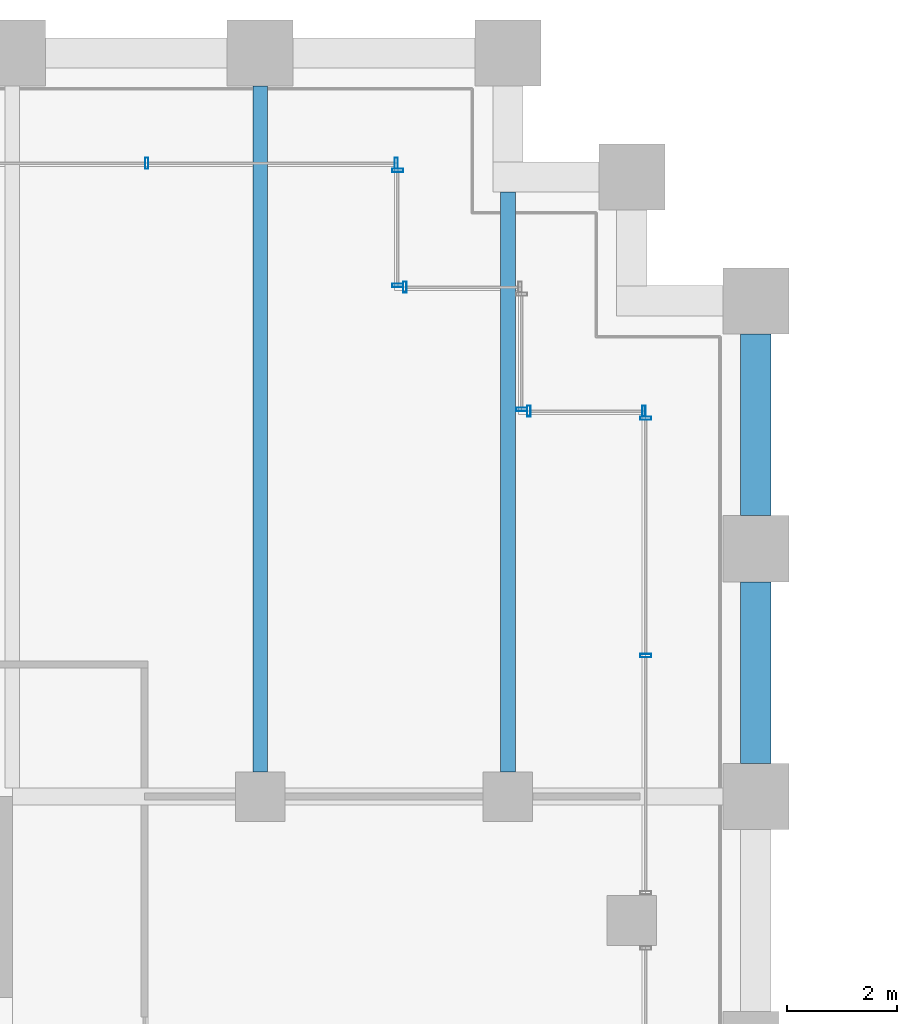
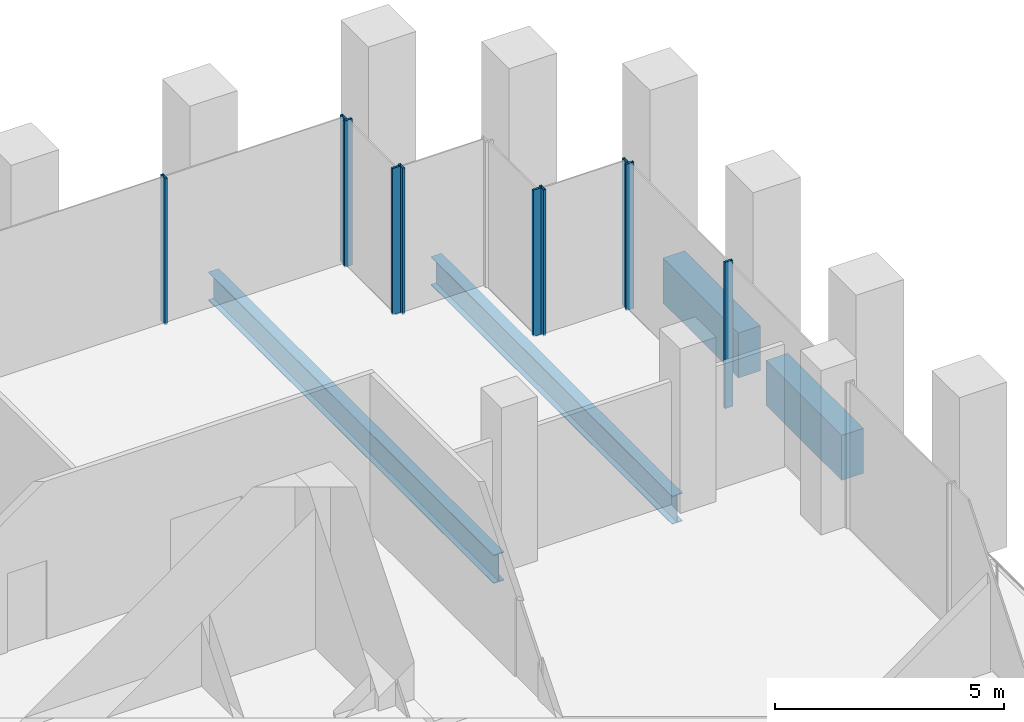
# One storey, part 17 of 36: 10 members, 4 beams, 6 elements without a shape of their own.
"""IFC4 building model written with IfcOpenShell, lengths in metres."""

from ifc_helpers import new_model, si_unit, direction, frame, origin, origin_2d, place, context, subcontext, project, spatial, rectangle, hollow_rectangle, i_section, extrude, material, material_profile, profile_set, type_object, element, aggregate, save


model = new_model("IFC4")

# Units and contexts
model_context = context("Model", 3, precision=1e-05, world=origin(), true_north=direction((0.0, 1.0)))
body_context = subcontext(model_context, "Body", "Model", "MODEL_VIEW")
ifc_project = project(units=[si_unit("LENGTHUNIT", "METRE"), si_unit("AREAUNIT", "SQUARE_METRE"), si_unit("VOLUMEUNIT", "CUBIC_METRE"), si_unit("PLANEANGLEUNIT", "RADIAN"), si_unit("MASSUNIT", "GRAM", prefix="KILO")], contexts=[model_context])

# Site, building, storey
site_placement = place(None, origin())
site = spatial("IfcSite", under=ifc_project, at=site_placement, CompositionType="ELEMENT")
building_placement = place(site_placement, origin())
building = spatial("IfcBuilding", under=site, at=building_placement, Name="Altepetl Exchange Towers", CompositionType="ELEMENT")
storey_placement = place(building_placement, frame((0.0, 0.0, 38.60009765625)))
storey = spatial("IfcBuildingStorey", under=building, at=storey_placement, Name="L08", CompositionType="ELEMENT", Elevation=38.60009765625)

# Beams
ifc_material_1 = material(Name="Steel S355", Category="steel")
ifc_material_profile_1 = material_profile(ifc_material_1, i_section(OverallWidth=0.26611328125, OverallDepth=0.758056640625, WebThickness=0.013916015625, FlangeThickness=0.019287109375, at=origin_2d()), Name="W30X108")
ifc_profile_set_1 = profile_set([ifc_material_profile_1], Name="Steel S355")
beam_type_1 = type_object("IfcBeamType", Name="Floor beam W30X108", PredefinedType="BEAM", material=ifc_profile_set_1)
beam_1_placement = place(storey_placement, frame((63.0, 58.949951171875, -0.55419921875), z_axis=(0.0, 1.0, 0.0), x_axis=(-1.0, 0.0, 0.0)))
element("IfcBeam", 1, at=beam_1_placement, inside=storey, type_object=beam_type_1, Name="bm:A:L08:004", PredefinedType="BEAM", context=body_context, shape_type="SweptSolid", body=[
    extrude(i_section(OverallWidth=0.26611328125, OverallDepth=0.758056640625, WebThickness=0.013916015625, FlangeThickness=0.019287109375, at=origin_2d()), origin(), (0.0, 0.0, 1.0), 12.449951171875),
])
beam_2_placement = place(storey_placement, frame((67.5, 58.949951171875, -0.55419921875), z_axis=(0.0, 1.0, 0.0), x_axis=(-1.0, 0.0, 0.0)))
element("IfcBeam", 2, at=beam_2_placement, inside=storey, type_object=beam_type_1, Name="bm:A:L08:005", PredefinedType="BEAM", context=body_context, shape_type="SweptSolid", body=[
    extrude(i_section(OverallWidth=0.26611328125, OverallDepth=0.758056640625, WebThickness=0.013916015625, FlangeThickness=0.019287109375, at=origin_2d()), origin(), (0.0, 0.0, 1.0), 10.525146484375),
])

# Curtain wall, members
ifc_material_2 = material(Name="Aluminium 6063-T6 glazing", Category="aluminium")
curtain_wall_type = type_object("IfcCurtainWallType", Name="Trading floor glazing system", PredefinedType="NOTDEFINED", material=ifc_material_2)
curtain_wall_1_placement = place(storey_placement, origin())
curtain_wall_1 = element("IfcCurtainWall", 3, at=curtain_wall_1_placement, inside=storey, type_object=curtain_wall_type, Name="CW2 run", PredefinedType="NOTDEFINED")
ifc_material_3 = material(Name="Aluminium 6063-T6", Category="aluminium")
ifc_material_profile_2 = material_profile(ifc_material_3, hollow_rectangle(XDim=0.06005859375, YDim=0.199951171875, WallThickness=0.0029296875, at=origin_2d()), Name="Mullion 60x200 aluminium")
ifc_profile_set_2 = profile_set([ifc_material_profile_2], Name="Aluminium 6063-T6")
member_type = type_object("IfcMemberType", Name="Mullion 60x200 aluminium", PredefinedType="MULLION", material=ifc_profile_set_2)
member_1_placement = place(storey_placement, frame((70.0, 61.06005859375, 0.0), z_axis=(0.0, 0.0, 1.0), x_axis=(0.0, 1.0, 0.0)))
member_1 = element("IfcMember", 4, at=member_1_placement, type_object=member_type, Name="MU2 mullion", PredefinedType="MULLION", context=body_context, shape_type="SweptSolid", body=[
    extrude(hollow_rectangle(XDim=0.06005859375, YDim=0.199951171875, WallThickness=0.0029296875, at=origin_2d()), origin(), (0.0, 0.0, 1.0), 3.89990234375),
])
member_2_placement = place(storey_placement, frame((70.0, 65.3701171875, 0.0), z_axis=(0.0, 0.0, 1.0), x_axis=(0.0, 1.0, 0.0)))
member_2 = element("IfcMember", 5, at=member_2_placement, type_object=member_type, Name="MU2 mullion", PredefinedType="MULLION", context=body_context, shape_type="SweptSolid", body=[
    extrude(hollow_rectangle(XDim=0.06005859375, YDim=0.199951171875, WallThickness=0.0029296875, at=origin_2d()), origin(), (0.0, 0.0, 1.0), 3.89990234375),
])
aggregate(curtain_wall_1, [member_1, member_2])

curtain_wall_2_placement = place(storey_placement, origin())
curtain_wall_2 = element("IfcCurtainWall", 6, at=curtain_wall_2_placement, inside=storey, type_object=curtain_wall_type, Name="CW2 run", PredefinedType="NOTDEFINED")
member_3_placement = place(storey_placement, frame((69.969970703125, 65.5, 0.0), z_axis=(0.0, 0.0, 1.0), x_axis=(-1.0, 0.0, 0.0)))
member_3 = element("IfcMember", 7, at=member_3_placement, type_object=member_type, Name="MU2 mullion", PredefinedType="MULLION", context=body_context, shape_type="SweptSolid", body=[
    extrude(hollow_rectangle(XDim=0.06005859375, YDim=0.199951171875, WallThickness=0.0029296875, at=origin_2d()), origin(), (0.0, 0.0, 1.0), 3.89990234375),
])
member_4_placement = place(storey_placement, frame((67.8798828125, 65.5, 0.0), z_axis=(0.0, 0.0, 1.0), x_axis=(-1.0, 0.0, 0.0)))
member_4 = element("IfcMember", 8, at=member_4_placement, type_object=member_type, Name="MU2 mullion", PredefinedType="MULLION", context=body_context, shape_type="SweptSolid", body=[
    extrude(hollow_rectangle(XDim=0.06005859375, YDim=0.199951171875, WallThickness=0.0029296875, at=origin_2d()), origin(), (0.0, 0.0, 1.0), 3.89990234375),
])
aggregate(curtain_wall_2, [member_3, member_4])

# Curtain wall, member
curtain_wall_3_placement = place(storey_placement, origin())
curtain_wall_3 = element("IfcCurtainWall", 9, at=curtain_wall_3_placement, inside=storey, type_object=curtain_wall_type, Name="CW2 run", PredefinedType="NOTDEFINED")
member_5_placement = place(storey_placement, frame((67.75, 65.530029296875, 0.0), z_axis=(0.0, 0.0, 1.0), x_axis=(0.0, 1.0, 0.0)))
member_5 = element("IfcMember", 10, at=member_5_placement, type_object=member_type, Name="MU2 mullion", PredefinedType="MULLION", context=body_context, shape_type="SweptSolid", body=[
    extrude(hollow_rectangle(XDim=0.06005859375, YDim=0.199951171875, WallThickness=0.0029296875, at=origin_2d()), origin(), (0.0, 0.0, 1.0), 3.89990234375),
])
aggregate(curtain_wall_3, [member_5])

curtain_wall_4_placement = place(storey_placement, origin())
curtain_wall_4 = element("IfcCurtainWall", 11, at=curtain_wall_4_placement, inside=storey, type_object=curtain_wall_type, Name="CW2 run", PredefinedType="NOTDEFINED")
member_6_placement = place(storey_placement, frame((65.6298828125, 67.75, 0.0), z_axis=(0.0, 0.0, 1.0), x_axis=(-1.0, 0.0, 0.0)))
member_6 = element("IfcMember", 12, at=member_6_placement, type_object=member_type, Name="MU2 mullion", PredefinedType="MULLION", context=body_context, shape_type="SweptSolid", body=[
    extrude(hollow_rectangle(XDim=0.06005859375, YDim=0.199951171875, WallThickness=0.0029296875, at=origin_2d()), origin(), (0.0, 0.0, 1.0), 3.89990234375),
])
aggregate(curtain_wall_4, [member_6])

# Curtain wall, members
curtain_wall_5_placement = place(storey_placement, origin())
curtain_wall_5 = element("IfcCurtainWall", 13, at=curtain_wall_5_placement, inside=storey, type_object=curtain_wall_type, Name="CW2 run", PredefinedType="NOTDEFINED")
member_7_placement = place(storey_placement, frame((65.5, 67.780029296875, 0.0), z_axis=(0.0, 0.0, 1.0), x_axis=(0.0, 1.0, 0.0)))
member_7 = element("IfcMember", 14, at=member_7_placement, type_object=member_type, Name="MU2 mullion", PredefinedType="MULLION", context=body_context, shape_type="SweptSolid", body=[
    extrude(hollow_rectangle(XDim=0.06005859375, YDim=0.199951171875, WallThickness=0.0029296875, at=origin_2d()), origin(), (0.0, 0.0, 1.0), 3.89990234375),
])
member_8_placement = place(storey_placement, frame((65.5, 69.8701171875, 0.0), z_axis=(0.0, 0.0, 1.0), x_axis=(0.0, 1.0, 0.0)))
member_8 = element("IfcMember", 15, at=member_8_placement, type_object=member_type, Name="MU2 mullion", PredefinedType="MULLION", context=body_context, shape_type="SweptSolid", body=[
    extrude(hollow_rectangle(XDim=0.06005859375, YDim=0.199951171875, WallThickness=0.0029296875, at=origin_2d()), origin(), (0.0, 0.0, 1.0), 3.89990234375),
])
aggregate(curtain_wall_5, [member_7, member_8])

curtain_wall_6_placement = place(storey_placement, origin())
curtain_wall_6 = element("IfcCurtainWall", 16, at=curtain_wall_6_placement, inside=storey, type_object=curtain_wall_type, Name="CW2 run", PredefinedType="NOTDEFINED")
member_9_placement = place(storey_placement, frame((65.469970703125, 70.0, 0.0), z_axis=(0.0, 0.0, 1.0), x_axis=(-1.0, 0.0, 0.0)))
member_9 = element("IfcMember", 17, at=member_9_placement, type_object=member_type, Name="MU2 mullion", PredefinedType="MULLION", context=body_context, shape_type="SweptSolid", body=[
    extrude(hollow_rectangle(XDim=0.06005859375, YDim=0.199951171875, WallThickness=0.0029296875, at=origin_2d()), origin(), (0.0, 0.0, 1.0), 3.89990234375),
])
member_10_placement = place(storey_placement, frame((60.94287109375, 70.0, 0.0), z_axis=(0.0, 0.0, 1.0), x_axis=(-1.0, 0.0, 0.0)))
member_10 = element("IfcMember", 18, at=member_10_placement, type_object=member_type, Name="MU2 mullion", PredefinedType="MULLION", context=body_context, shape_type="SweptSolid", body=[
    extrude(hollow_rectangle(XDim=0.06005859375, YDim=0.199951171875, WallThickness=0.0029296875, at=origin_2d()), origin(), (0.0, 0.0, 1.0), 3.89990234375),
])
aggregate(curtain_wall_6, [member_9, member_10])

# Beams
ifc_material_4 = material(Name="Concrete C50/60 precast with cantera rosa facing", Category="concrete")
ifc_material_profile_3 = material_profile(ifc_material_4, rectangle(XDim=0.550048828125, YDim=1.199951171875, at=origin_2d()), Name="550 x 1200")
ifc_profile_set_3 = profile_set([ifc_material_profile_3], Name="Concrete C50/60 precast with cantera rosa facing")
beam_type_2 = type_object("IfcBeamType", Name="Spandrel beam 550x1200 cantera rosa", PredefinedType="SPANDREL", material=ifc_profile_set_3)
for number, where, z_axis, x_axis, name in (
    (19, (72.0, 59.10009765625, -0.775146484375), (0.0, 1.0, 0.0), (-1.0, 0.0, 0.0), "sp:A:L08:018"),
    (20, (72.0, 63.60009765625, -0.775146484375), (0.0, 1.0, 0.0), (-1.0, 0.0, 0.0), "sp:A:L08:019"),
):
    element("IfcBeam", number, at=place(storey_placement, frame(where, z_axis=z_axis, x_axis=x_axis)), inside=storey, type_object=beam_type_2, Name=name, PredefinedType="SPANDREL", context=body_context, shape_type="SweptSolid", body=[
        extrude(rectangle(XDim=0.550048828125, YDim=1.199951171875, at=origin_2d()), origin(), (0.0, 0.0, 1.0), 3.2998046875),
    ])

save(model, "model.ifc")
